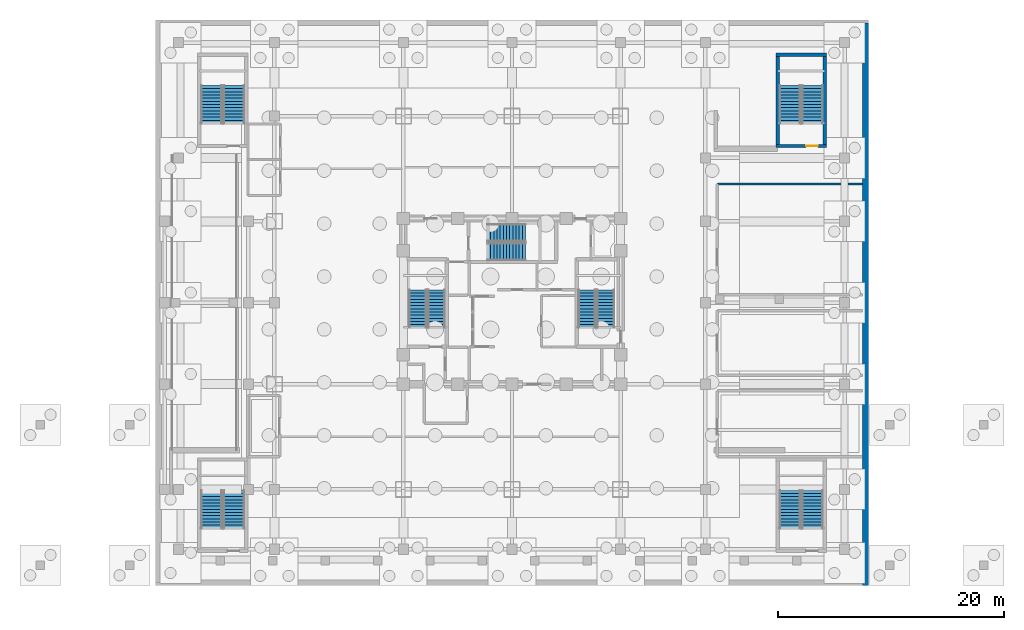
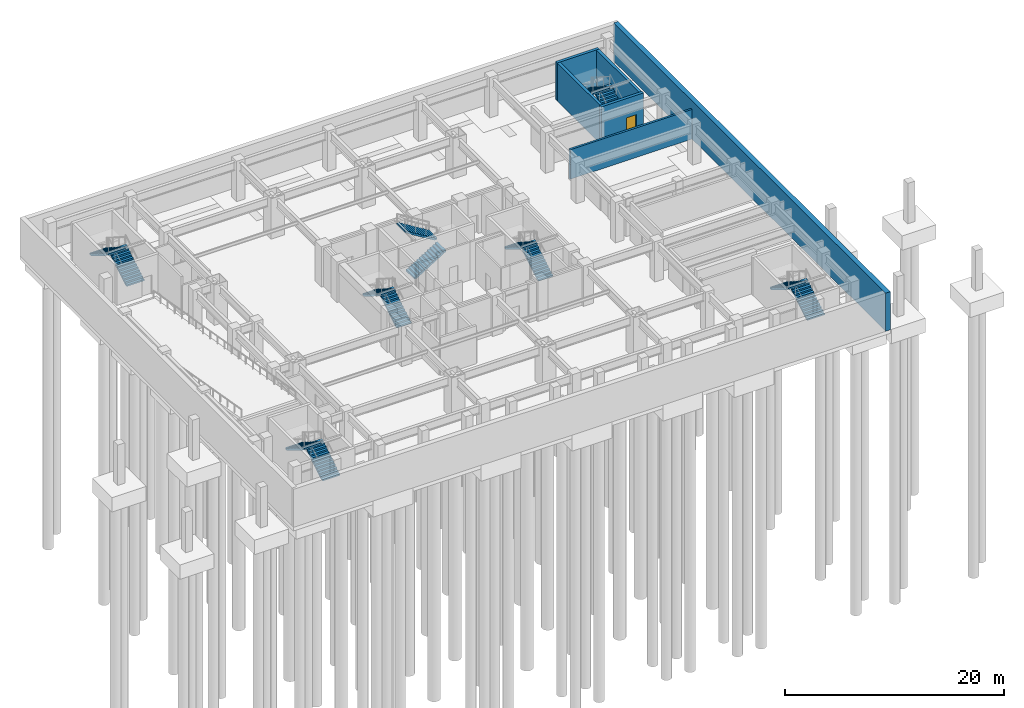
# One storey, part 7 of 12: 14 stair flights, 6 walls, 1 door, 1 opening, 7 elements without a shape of their own.
"""IFC4 building model written with IfcOpenShell, lengths in metres."""

from ifc_helpers import new_model, si_unit, direction, frame, frame_2d, origin, place, context, subcontext, project, spatial, polyline, rectangle, outline, extrude, material, layer, layer_set, type_object, element, fill, aggregate, save


model = new_model("IFC4")

# Units and contexts
model_context = context("Model", 3, precision=1e-05, world=origin(), true_north=direction((0.0, 1.0)))
body_context = subcontext(model_context, "Body", "Model", "MODEL_VIEW")
ifc_project = project(units=[si_unit("LENGTHUNIT", "METRE"), si_unit("AREAUNIT", "SQUARE_METRE"), si_unit("VOLUMEUNIT", "CUBIC_METRE"), si_unit("PLANEANGLEUNIT", "RADIAN"), si_unit("MASSUNIT", "GRAM", prefix="KILO")], contexts=[model_context])

# Site, building, storey
site_placement = place(None, origin())
site = spatial("IfcSite", under=ifc_project, at=site_placement, CompositionType="ELEMENT")
building_placement = place(site_placement, origin())
building = spatial("IfcBuilding", under=site, at=building_placement, Name="Vantalir Tower", CompositionType="ELEMENT")
storey_placement = place(building_placement, frame((0.0, 0.0, -9.0)))
storey = spatial("IfcBuildingStorey", under=building, at=storey_placement, Name="B02", CompositionType="ELEMENT", Elevation=-9.0)

# Walls
ifc_material_1 = material(Name="Concrete C50/60", Category="concrete")
ifc_layer_1 = layer(ifc_material_1, 0.5)
ifc_layer_set_1 = layer_set([ifc_layer_1], Name="Concrete C50/60")
wall_type_1 = type_object("IfcWallType", Name="WL-BSMT-500", PredefinedType="SOLIDWALL", material=ifc_layer_set_1)
wall_1_placement = place(storey_placement, frame((62.75, 0.0, 0.0), z_axis=(0.0, 0.0, 1.0), x_axis=(0.0, 1.0, 0.0)))
element("IfcWall", 1, at=wall_1_placement, inside=storey, type_object=wall_type_1, Name="B02 Perimeter Retaining Wall E", PredefinedType="SOLIDWALL", context=body_context, shape_type="SweptSolid", body=[
    extrude(rectangle(XDim=49.75, YDim=0.5, at=frame_2d((24.875, 0.0))), origin(), (0.0, 0.0, 1.0), 4.25),
])
ifc_material_2 = material(Name="Concrete blockwork with fireboard lining", Category="masonry")
ifc_layer_2 = layer(ifc_material_2, 0.219970703125)
ifc_layer_set_2 = layer_set([ifc_layer_2], Name="Concrete blockwork with fireboard lining")
wall_type_2 = type_object("IfcWallType", Name="WL-FFL-220", PredefinedType="PARTITIONING", material=ifc_layer_set_2)
wall_2_placement = place(storey_placement, frame((49.64990234375, 35.5, 0.0), z_axis=(0.0, 0.0, 1.0), x_axis=(1.0, 0.0, 0.0)))
element("IfcWall", 2, at=wall_2_placement, inside=storey, type_object=wall_type_2, Name="B02 Central Chiller Plant North Wall", PredefinedType="PARTITIONING", context=body_context, shape_type="SweptSolid", body=[
    extrude(rectangle(XDim=12.85009765625, YDim=0.219970703125, at=frame_2d((6.425048828125, 0.0))), origin(), (0.0, 0.0, 1.0), 3.297119140625),
])

# Wall, opening, door
ifc_layer_3 = layer(ifc_material_1, 0.300048828125)
ifc_layer_set_3 = layer_set([ifc_layer_3], Name="Concrete C50/60")
wall_type_3 = type_object("IfcWallType", Name="WL-STAIR-300", PredefinedType="SHEAR", material=ifc_layer_set_3)
wall_3_placement = place(storey_placement, frame((54.85009765625, 38.860107421875, 0.0), z_axis=(0.0, 0.0, 1.0), x_axis=(1.0, 0.0, 0.0)))
wall_3 = element("IfcWall", 3, at=wall_3_placement, inside=storey, type_object=wall_type_3, Name="B02 PST2 South Wall", PredefinedType="SHEAR", context=body_context, shape_type="SweptSolid", body=[
    extrude(rectangle(XDim=4.449951171875, YDim=0.300048828125, at=frame_2d((2.22509765625, 0.0))), origin(), (0.0, 0.0, 1.0), 4.25),
])
opening_placement = place(wall_3_placement, frame((2.64990234375, 0.0, 0.0)))
opening = element("IfcOpeningElement", 4, at=opening_placement, cuts=wall_3, Name="Opening D-ST", PredefinedType="OPENING", context=body_context, shape_type="SweptSolid", body=[
    extrude(rectangle(XDim=1.050048828125, YDim=2.10009765625, at=frame_2d((0.52490234375, 1.050048828125))), frame((0.0, 0.159912109375, 0.0), z_axis=(0.0, -1.0, 0.0), x_axis=(1.0, 0.0, 0.0)), (0.0, 0.0, 1.0), 0.320068359375),
])
ifc_material_3 = material(Name="Fire-rated steel door leaf", Category="steel")
door_type = type_object("IfcDoorType", Name="DR-FIRE-STAIR-1050", OperationType="NOTDEFINED", PredefinedType="DOOR", material=ifc_material_3)
door_placement = place(opening_placement, origin())
door = element("IfcDoor", 5, at=door_placement, inside=storey, type_object=door_type, Name="B02 Podium Stair PST2 Fire Door", OperationType="SINGLE_SWING_LEFT", OverallHeight=2.10009765625, OverallWidth=1.050048828125, PredefinedType="DOOR", context=body_context, shape_type="SweptSolid", body=[
    extrude(rectangle(XDim=1.050048828125, YDim=2.10009765625, at=frame_2d((0.52490234375, 1.050048828125))), frame((0.0, 0.02490234375, 0.0), z_axis=(0.0, -1.0, 0.0), x_axis=(1.0, 0.0, 0.0)), (0.0, 0.0, 1.0), 0.050048828125),
])
fill(opening, door)

# Walls
wall_4_placement = place(storey_placement, frame((54.85009765625, 46.93994140625, 0.0), z_axis=(0.0, 0.0, 1.0), x_axis=(1.0, 0.0, 0.0)))
element("IfcWall", 6, at=wall_4_placement, inside=storey, type_object=wall_type_3, Name="B02 PST2 North Wall", PredefinedType="SHEAR", context=body_context, shape_type="SweptSolid", body=[
    extrude(rectangle(XDim=4.449951171875, YDim=0.300048828125, at=frame_2d((2.22509765625, 0.0))), origin(), (0.0, 0.0, 1.0), 4.25),
])
for number, where, z_axis, x_axis, name in (
    (7, (55.010009765625, 38.860107421875, 0.0), (0.0, 0.0, 1.0), (0.0, 1.0, 0.0), "B02 PST2 West Wall"),
    (8, (59.139892578125, 38.860107421875, 0.0), (0.0, 0.0, 1.0), (0.0, 1.0, 0.0), "B02 PST2 East Wall"),
):
    element("IfcWall", number, at=place(storey_placement, frame(where, z_axis=z_axis, x_axis=x_axis)), inside=storey, type_object=wall_type_3, Name=name, PredefinedType="SHEAR", context=body_context, shape_type="SweptSolid", body=[
        extrude(rectangle(XDim=8.079833984375, YDim=0.300048828125, at=frame_2d((4.0400390625, 0.0))), origin(), (0.0, 0.0, 1.0), 4.25),
    ])

# Stair, stair flights
ifc_material_4 = material(Name="Concrete C40/50", Category="concrete")
stair_type_1 = type_object("IfcStairType", Name="STR-CORE-1450", PredefinedType="HALF_TURN_STAIR", material=ifc_material_4)
stair_1_placement = place(storey_placement, origin())
stair_1 = element("IfcStair", 9, at=stair_1_placement, inside=storey, type_object=stair_type_1, Name="B02 Core Exit Stair 1", PredefinedType="HALF_TURN_STAIR")
stair_flight_type_1 = type_object("IfcStairFlightType", Name="FLT-CORE-1450", PredefinedType="STRAIGHT", material=ifc_material_4)
stair_flight_1_placement = place(storey_placement, frame((24.830078125, 22.7900390625, 0.0), z_axis=(0.0, 0.0, 1.0), x_axis=(0.0, 1.0, 0.0)))
stair_flight_1 = element("IfcStairFlight", 10, at=stair_flight_1_placement, type_object=stair_flight_type_1, Name="ST1 flight 1", NumberOfRisers=13, NumberOfTreads=12, PredefinedType="STRAIGHT", RiserHeight=0.173076923, TreadLength=0.28, context=body_context, shape_type="SweptSolid", body=[
    extrude(outline(polyline([(0.0, 0.0), (0.0, 0.173095703125), (0.280029296875, 0.173095703125), (0.280029296875, 0.34619140625), (0.56005859375, 0.34619140625), (0.56005859375, 0.519287109375), (0.840087890625, 0.519287109375), (0.840087890625, 0.6923828125), (1.1201171875, 0.6923828125), (1.1201171875, 0.865478515625), (1.39990234375, 0.865478515625), (1.39990234375, 1.03857421875), (1.679931640625, 1.03857421875), (1.679931640625, 1.21142578125), (1.9599609375, 1.21142578125), (1.9599609375, 1.384521484375), (2.239990234375, 1.384521484375), (2.239990234375, 1.5576171875), (2.52001953125, 1.5576171875), (2.52001953125, 1.730712890625), (2.800048828125, 1.730712890625), (2.800048828125, 1.90380859375), (3.080078125, 1.90380859375), (3.080078125, 2.076904296875), (3.360107421875, 2.076904296875), (3.360107421875, 2.25), (3.360107421875, 1.900634765625), (0.28515625, 0.0), (0.0, 0.0)])), frame((0.0, 0.77001953125, 0.0), z_axis=(0.0, -1.0, 0.0), x_axis=(1.0, 0.0, 0.0)), (0.0, 0.0, 1.0), 1.5400390625),
])
stair_flight_2_placement = place(storey_placement, frame((23.169921875, 26.14990234375, 2.25), z_axis=(0.0, 0.0, 1.0), x_axis=(0.0, -1.0, 0.0)))
stair_flight_2 = element("IfcStairFlight", 11, at=stair_flight_2_placement, type_object=stair_flight_type_1, Name="ST1 flight 2", NumberOfRisers=13, NumberOfTreads=12, PredefinedType="STRAIGHT", RiserHeight=0.173076923, TreadLength=0.28, context=body_context, shape_type="SweptSolid", body=[
    extrude(outline(polyline([(0.0, 0.0), (0.0, 0.173095703125), (0.280029296875, 0.173095703125), (0.280029296875, 0.34619140625), (0.56005859375, 0.34619140625), (0.56005859375, 0.519287109375), (0.840087890625, 0.519287109375), (0.840087890625, 0.6923828125), (1.1201171875, 0.6923828125), (1.1201171875, 0.865478515625), (1.39990234375, 0.865478515625), (1.39990234375, 1.03857421875), (1.679931640625, 1.03857421875), (1.679931640625, 1.21142578125), (1.9599609375, 1.21142578125), (1.9599609375, 1.384521484375), (2.239990234375, 1.384521484375), (2.239990234375, 1.5576171875), (2.52001953125, 1.5576171875), (2.52001953125, 1.730712890625), (2.800048828125, 1.730712890625), (2.800048828125, 1.90380859375), (3.080078125, 1.90380859375), (3.080078125, 2.076904296875), (3.360107421875, 2.076904296875), (3.360107421875, 2.25), (3.360107421875, 1.900634765625), (0.28515625, 0.0), (0.0, 0.0)])), frame((0.0, 0.77001953125, 0.0), z_axis=(0.0, -1.0, 0.0), x_axis=(1.0, 0.0, 0.0)), (0.0, 0.0, 1.0), 1.5400390625),
])
aggregate(stair_1, [stair_flight_1, stair_flight_2])

stair_2_placement = place(storey_placement, origin())
stair_2 = element("IfcStair", 12, at=stair_2_placement, inside=storey, type_object=stair_type_1, Name="B02 Core Exit Stair 2", PredefinedType="HALF_TURN_STAIR")
stair_flight_3_placement = place(storey_placement, frame((39.780029296875, 22.7900390625, 0.0), z_axis=(0.0, 0.0, 1.0), x_axis=(0.0, 1.0, 0.0)))
stair_flight_3 = element("IfcStairFlight", 13, at=stair_flight_3_placement, type_object=stair_flight_type_1, Name="ST2 flight 1", NumberOfRisers=13, NumberOfTreads=12, PredefinedType="STRAIGHT", RiserHeight=0.173076923, TreadLength=0.28, context=body_context, shape_type="SweptSolid", body=[
    extrude(outline(polyline([(0.0, 0.0), (0.0, 0.173095703125), (0.280029296875, 0.173095703125), (0.280029296875, 0.34619140625), (0.56005859375, 0.34619140625), (0.56005859375, 0.519287109375), (0.840087890625, 0.519287109375), (0.840087890625, 0.6923828125), (1.1201171875, 0.6923828125), (1.1201171875, 0.865478515625), (1.39990234375, 0.865478515625), (1.39990234375, 1.03857421875), (1.679931640625, 1.03857421875), (1.679931640625, 1.21142578125), (1.9599609375, 1.21142578125), (1.9599609375, 1.384521484375), (2.239990234375, 1.384521484375), (2.239990234375, 1.5576171875), (2.52001953125, 1.5576171875), (2.52001953125, 1.730712890625), (2.800048828125, 1.730712890625), (2.800048828125, 1.90380859375), (3.080078125, 1.90380859375), (3.080078125, 2.076904296875), (3.360107421875, 2.076904296875), (3.360107421875, 2.25), (3.360107421875, 1.900634765625), (0.28515625, 0.0), (0.0, 0.0)])), frame((0.0, 0.77001953125, 0.0), z_axis=(0.0, -1.0, 0.0), x_axis=(1.0, 0.0, 0.0)), (0.0, 0.0, 1.0), 1.5400390625),
])
stair_flight_4_placement = place(storey_placement, frame((38.1201171875, 26.14990234375, 2.25), z_axis=(0.0, 0.0, 1.0), x_axis=(0.0, -1.0, 0.0)))
stair_flight_4 = element("IfcStairFlight", 14, at=stair_flight_4_placement, type_object=stair_flight_type_1, Name="ST2 flight 2", NumberOfRisers=13, NumberOfTreads=12, PredefinedType="STRAIGHT", RiserHeight=0.173076923, TreadLength=0.28, context=body_context, shape_type="SweptSolid", body=[
    extrude(outline(polyline([(0.0, 0.0), (0.0, 0.173095703125), (0.280029296875, 0.173095703125), (0.280029296875, 0.34619140625), (0.56005859375, 0.34619140625), (0.56005859375, 0.519287109375), (0.840087890625, 0.519287109375), (0.840087890625, 0.6923828125), (1.1201171875, 0.6923828125), (1.1201171875, 0.865478515625), (1.39990234375, 0.865478515625), (1.39990234375, 1.03857421875), (1.679931640625, 1.03857421875), (1.679931640625, 1.21142578125), (1.9599609375, 1.21142578125), (1.9599609375, 1.384521484375), (2.239990234375, 1.384521484375), (2.239990234375, 1.5576171875), (2.52001953125, 1.5576171875), (2.52001953125, 1.730712890625), (2.800048828125, 1.730712890625), (2.800048828125, 1.90380859375), (3.080078125, 1.90380859375), (3.080078125, 2.076904296875), (3.360107421875, 2.076904296875), (3.360107421875, 2.25), (3.360107421875, 1.900634765625), (0.28515625, 0.0), (0.0, 0.0)])), frame((0.0, 0.77001953125, 0.0), z_axis=(0.0, -1.0, 0.0), x_axis=(1.0, 0.0, 0.0)), (0.0, 0.0, 1.0), 1.5400390625),
])
aggregate(stair_2, [stair_flight_3, stair_flight_4])

stair_3_placement = place(storey_placement, origin())
stair_3 = element("IfcStair", 15, at=stair_3_placement, inside=storey, type_object=stair_type_1, Name="B02 Core Exit Stair 3", PredefinedType="HALF_TURN_STAIR")
stair_flight_5_placement = place(storey_placement, frame((29.340087890625, 29.52001953125, 0.0), z_axis=(0.0, 0.0, 1.0), x_axis=(1.0, 0.0, 0.0)))
stair_flight_5 = element("IfcStairFlight", 16, at=stair_flight_5_placement, type_object=stair_flight_type_1, Name="ST3 flight 1", NumberOfRisers=13, NumberOfTreads=12, PredefinedType="STRAIGHT", RiserHeight=0.173076923, TreadLength=0.28, context=body_context, shape_type="SweptSolid", body=[
    extrude(outline(polyline([(0.0, 0.0), (0.0, 0.173095703125), (0.280029296875, 0.173095703125), (0.280029296875, 0.34619140625), (0.56005859375, 0.34619140625), (0.56005859375, 0.519287109375), (0.840087890625, 0.519287109375), (0.840087890625, 0.6923828125), (1.1201171875, 0.6923828125), (1.1201171875, 0.865478515625), (1.39990234375, 0.865478515625), (1.39990234375, 1.03857421875), (1.679931640625, 1.03857421875), (1.679931640625, 1.21142578125), (1.9599609375, 1.21142578125), (1.9599609375, 1.384521484375), (2.239990234375, 1.384521484375), (2.239990234375, 1.5576171875), (2.52001953125, 1.5576171875), (2.52001953125, 1.730712890625), (2.800048828125, 1.730712890625), (2.800048828125, 1.90380859375), (3.080078125, 1.90380859375), (3.080078125, 2.076904296875), (3.360107421875, 2.076904296875), (3.360107421875, 2.25), (3.360107421875, 1.900634765625), (0.28515625, 0.0), (0.0, 0.0)])), frame((0.0, 0.77001953125, 0.0), z_axis=(0.0, -1.0, 0.0), x_axis=(1.0, 0.0, 0.0)), (0.0, 0.0, 1.0), 1.5400390625),
])
stair_flight_6_placement = place(storey_placement, frame((32.699951171875, 31.179931640625, 2.25), z_axis=(0.0, 0.0, 1.0), x_axis=(-1.0, 0.0, 0.0)))
stair_flight_6 = element("IfcStairFlight", 17, at=stair_flight_6_placement, type_object=stair_flight_type_1, Name="ST3 flight 2", NumberOfRisers=13, NumberOfTreads=12, PredefinedType="STRAIGHT", RiserHeight=0.173076923, TreadLength=0.28, context=body_context, shape_type="SweptSolid", body=[
    extrude(outline(polyline([(0.0, 0.0), (0.0, 0.173095703125), (0.280029296875, 0.173095703125), (0.280029296875, 0.34619140625), (0.56005859375, 0.34619140625), (0.56005859375, 0.519287109375), (0.840087890625, 0.519287109375), (0.840087890625, 0.6923828125), (1.1201171875, 0.6923828125), (1.1201171875, 0.865478515625), (1.39990234375, 0.865478515625), (1.39990234375, 1.03857421875), (1.679931640625, 1.03857421875), (1.679931640625, 1.21142578125), (1.9599609375, 1.21142578125), (1.9599609375, 1.384521484375), (2.239990234375, 1.384521484375), (2.239990234375, 1.5576171875), (2.52001953125, 1.5576171875), (2.52001953125, 1.730712890625), (2.800048828125, 1.730712890625), (2.800048828125, 1.90380859375), (3.080078125, 1.90380859375), (3.080078125, 2.076904296875), (3.360107421875, 2.076904296875), (3.360107421875, 2.25), (3.360107421875, 1.900634765625), (0.28515625, 0.0), (0.0, 0.0)])), frame((0.0, 0.77001953125, 0.0), z_axis=(0.0, -1.0, 0.0), x_axis=(1.0, 0.0, 0.0)), (0.0, 0.0, 1.0), 1.5400390625),
])
aggregate(stair_3, [stair_flight_5, stair_flight_6])

stair_type_2 = type_object("IfcStairType", Name="STR-POD-1550", PredefinedType="HALF_TURN_STAIR", material=ifc_material_4)
stair_4_placement = place(storey_placement, origin())
stair_4 = element("IfcStair", 18, at=stair_4_placement, inside=storey, type_object=stair_type_2, Name="B02 Podium Exit Stair 1", PredefinedType="HALF_TURN_STAIR")
stair_flight_type_2 = type_object("IfcStairFlightType", Name="FLT-POD-1550", PredefinedType="STRAIGHT", material=ifc_material_4)
stair_flight_7_placement = place(storey_placement, frame((6.925048828125, 40.85009765625, 0.0), z_axis=(0.0, 0.0, 1.0), x_axis=(0.0, 1.0, 0.0)))
stair_flight_7 = element("IfcStairFlight", 19, at=stair_flight_7_placement, type_object=stair_flight_type_2, Name="PST1 flight 1", NumberOfRisers=13, NumberOfTreads=12, PredefinedType="STRAIGHT", RiserHeight=0.173076923, TreadLength=0.28, context=body_context, shape_type="SweptSolid", body=[
    extrude(outline(polyline([(0.0, 0.0), (0.0, 0.173095703125), (0.280029296875, 0.173095703125), (0.280029296875, 0.34619140625), (0.56005859375, 0.34619140625), (0.56005859375, 0.519287109375), (0.840087890625, 0.519287109375), (0.840087890625, 0.6923828125), (1.1201171875, 0.6923828125), (1.1201171875, 0.865478515625), (1.39990234375, 0.865478515625), (1.39990234375, 1.03857421875), (1.679931640625, 1.03857421875), (1.679931640625, 1.21142578125), (1.9599609375, 1.21142578125), (1.9599609375, 1.384521484375), (2.239990234375, 1.384521484375), (2.239990234375, 1.5576171875), (2.52001953125, 1.5576171875), (2.52001953125, 1.730712890625), (2.800048828125, 1.730712890625), (2.800048828125, 1.90380859375), (3.080078125, 1.90380859375), (3.080078125, 2.076904296875), (3.360107421875, 2.076904296875), (3.360107421875, 2.25), (3.360107421875, 1.900634765625), (0.28515625, 0.0), (0.0, 0.0)])), frame((0.0, 0.925048828125, 0.0), z_axis=(0.0, -1.0, 0.0), x_axis=(1.0, 0.0, 0.0)), (0.0, 0.0, 1.0), 1.85009765625),
])
stair_flight_8_placement = place(storey_placement, frame((4.925048828125, 44.2099609375, 2.25), z_axis=(0.0, 0.0, 1.0), x_axis=(0.0, -1.0, 0.0)))
stair_flight_8 = element("IfcStairFlight", 20, at=stair_flight_8_placement, type_object=stair_flight_type_2, Name="PST1 flight 2", NumberOfRisers=13, NumberOfTreads=12, PredefinedType="STRAIGHT", RiserHeight=0.173076923, TreadLength=0.28, context=body_context, shape_type="SweptSolid", body=[
    extrude(outline(polyline([(0.0, 0.0), (0.0, 0.173095703125), (0.280029296875, 0.173095703125), (0.280029296875, 0.34619140625), (0.56005859375, 0.34619140625), (0.56005859375, 0.519287109375), (0.840087890625, 0.519287109375), (0.840087890625, 0.6923828125), (1.1201171875, 0.6923828125), (1.1201171875, 0.865478515625), (1.39990234375, 0.865478515625), (1.39990234375, 1.03857421875), (1.679931640625, 1.03857421875), (1.679931640625, 1.21142578125), (1.9599609375, 1.21142578125), (1.9599609375, 1.384521484375), (2.239990234375, 1.384521484375), (2.239990234375, 1.5576171875), (2.52001953125, 1.5576171875), (2.52001953125, 1.730712890625), (2.800048828125, 1.730712890625), (2.800048828125, 1.90380859375), (3.080078125, 1.90380859375), (3.080078125, 2.076904296875), (3.360107421875, 2.076904296875), (3.360107421875, 2.25), (3.360107421875, 1.900634765625), (0.28515625, 0.0), (0.0, 0.0)])), frame((0.0, 0.925048828125, 0.0), z_axis=(0.0, -1.0, 0.0), x_axis=(1.0, 0.0, 0.0)), (0.0, 0.0, 1.0), 1.85009765625),
])
aggregate(stair_4, [stair_flight_7, stair_flight_8])

stair_5_placement = place(storey_placement, origin())
stair_5 = element("IfcStair", 21, at=stair_5_placement, inside=storey, type_object=stair_type_2, Name="B02 Podium Exit Stair 2", PredefinedType="HALF_TURN_STAIR")
stair_flight_9_placement = place(storey_placement, frame((58.074951171875, 40.85009765625, 0.0), z_axis=(0.0, 0.0, 1.0), x_axis=(0.0, 1.0, 0.0)))
stair_flight_9 = element("IfcStairFlight", 22, at=stair_flight_9_placement, type_object=stair_flight_type_2, Name="PST2 flight 1", NumberOfRisers=13, NumberOfTreads=12, PredefinedType="STRAIGHT", RiserHeight=0.173076923, TreadLength=0.28, context=body_context, shape_type="SweptSolid", body=[
    extrude(outline(polyline([(0.0, 0.0), (0.0, 0.173095703125), (0.280029296875, 0.173095703125), (0.280029296875, 0.34619140625), (0.56005859375, 0.34619140625), (0.56005859375, 0.519287109375), (0.840087890625, 0.519287109375), (0.840087890625, 0.6923828125), (1.1201171875, 0.6923828125), (1.1201171875, 0.865478515625), (1.39990234375, 0.865478515625), (1.39990234375, 1.03857421875), (1.679931640625, 1.03857421875), (1.679931640625, 1.21142578125), (1.9599609375, 1.21142578125), (1.9599609375, 1.384521484375), (2.239990234375, 1.384521484375), (2.239990234375, 1.5576171875), (2.52001953125, 1.5576171875), (2.52001953125, 1.730712890625), (2.800048828125, 1.730712890625), (2.800048828125, 1.90380859375), (3.080078125, 1.90380859375), (3.080078125, 2.076904296875), (3.360107421875, 2.076904296875), (3.360107421875, 2.25), (3.360107421875, 1.900634765625), (0.28515625, 0.0), (0.0, 0.0)])), frame((0.0, 0.925048828125, 0.0), z_axis=(0.0, -1.0, 0.0), x_axis=(1.0, 0.0, 0.0)), (0.0, 0.0, 1.0), 1.85009765625),
])
stair_flight_10_placement = place(storey_placement, frame((56.074951171875, 44.2099609375, 2.25), z_axis=(0.0, 0.0, 1.0), x_axis=(0.0, -1.0, 0.0)))
stair_flight_10 = element("IfcStairFlight", 23, at=stair_flight_10_placement, type_object=stair_flight_type_2, Name="PST2 flight 2", NumberOfRisers=13, NumberOfTreads=12, PredefinedType="STRAIGHT", RiserHeight=0.173076923, TreadLength=0.28, context=body_context, shape_type="SweptSolid", body=[
    extrude(outline(polyline([(0.0, 0.0), (0.0, 0.173095703125), (0.280029296875, 0.173095703125), (0.280029296875, 0.34619140625), (0.56005859375, 0.34619140625), (0.56005859375, 0.519287109375), (0.840087890625, 0.519287109375), (0.840087890625, 0.6923828125), (1.1201171875, 0.6923828125), (1.1201171875, 0.865478515625), (1.39990234375, 0.865478515625), (1.39990234375, 1.03857421875), (1.679931640625, 1.03857421875), (1.679931640625, 1.21142578125), (1.9599609375, 1.21142578125), (1.9599609375, 1.384521484375), (2.239990234375, 1.384521484375), (2.239990234375, 1.5576171875), (2.52001953125, 1.5576171875), (2.52001953125, 1.730712890625), (2.800048828125, 1.730712890625), (2.800048828125, 1.90380859375), (3.080078125, 1.90380859375), (3.080078125, 2.076904296875), (3.360107421875, 2.076904296875), (3.360107421875, 2.25), (3.360107421875, 1.900634765625), (0.28515625, 0.0), (0.0, 0.0)])), frame((0.0, 0.925048828125, 0.0), z_axis=(0.0, -1.0, 0.0), x_axis=(1.0, 0.0, 0.0)), (0.0, 0.0, 1.0), 1.85009765625),
])
aggregate(stair_5, [stair_flight_9, stair_flight_10])

stair_6_placement = place(storey_placement, origin())
stair_6 = element("IfcStair", 24, at=stair_6_placement, inside=storey, type_object=stair_type_2, Name="B02 Podium Exit Stair 3", PredefinedType="HALF_TURN_STAIR")
stair_flight_11_placement = place(storey_placement, frame((6.925048828125, 5.050048828125, 0.0), z_axis=(0.0, 0.0, 1.0), x_axis=(0.0, 1.0, 0.0)))
stair_flight_11 = element("IfcStairFlight", 25, at=stair_flight_11_placement, type_object=stair_flight_type_2, Name="PST3 flight 1", NumberOfRisers=13, NumberOfTreads=12, PredefinedType="STRAIGHT", RiserHeight=0.173076923, TreadLength=0.28, context=body_context, shape_type="SweptSolid", body=[
    extrude(outline(polyline([(0.0, 0.0), (0.0, 0.173095703125), (0.280029296875, 0.173095703125), (0.280029296875, 0.34619140625), (0.56005859375, 0.34619140625), (0.56005859375, 0.519287109375), (0.840087890625, 0.519287109375), (0.840087890625, 0.6923828125), (1.1201171875, 0.6923828125), (1.1201171875, 0.865478515625), (1.39990234375, 0.865478515625), (1.39990234375, 1.03857421875), (1.679931640625, 1.03857421875), (1.679931640625, 1.21142578125), (1.9599609375, 1.21142578125), (1.9599609375, 1.384521484375), (2.239990234375, 1.384521484375), (2.239990234375, 1.5576171875), (2.52001953125, 1.5576171875), (2.52001953125, 1.730712890625), (2.800048828125, 1.730712890625), (2.800048828125, 1.90380859375), (3.080078125, 1.90380859375), (3.080078125, 2.076904296875), (3.360107421875, 2.076904296875), (3.360107421875, 2.25), (3.360107421875, 1.900634765625), (0.28515625, 0.0), (0.0, 0.0)])), frame((0.0, 0.925048828125, 0.0), z_axis=(0.0, -1.0, 0.0), x_axis=(1.0, 0.0, 0.0)), (0.0, 0.0, 1.0), 1.85009765625),
])
stair_flight_12_placement = place(storey_placement, frame((4.925048828125, 8.409912109375, 2.25), z_axis=(0.0, 0.0, 1.0), x_axis=(0.0, -1.0, 0.0)))
stair_flight_12 = element("IfcStairFlight", 26, at=stair_flight_12_placement, type_object=stair_flight_type_2, Name="PST3 flight 2", NumberOfRisers=13, NumberOfTreads=12, PredefinedType="STRAIGHT", RiserHeight=0.173076923, TreadLength=0.28, context=body_context, shape_type="SweptSolid", body=[
    extrude(outline(polyline([(0.0, 0.0), (0.0, 0.173095703125), (0.280029296875, 0.173095703125), (0.280029296875, 0.34619140625), (0.56005859375, 0.34619140625), (0.56005859375, 0.519287109375), (0.840087890625, 0.519287109375), (0.840087890625, 0.6923828125), (1.1201171875, 0.6923828125), (1.1201171875, 0.865478515625), (1.39990234375, 0.865478515625), (1.39990234375, 1.03857421875), (1.679931640625, 1.03857421875), (1.679931640625, 1.21142578125), (1.9599609375, 1.21142578125), (1.9599609375, 1.384521484375), (2.239990234375, 1.384521484375), (2.239990234375, 1.5576171875), (2.52001953125, 1.5576171875), (2.52001953125, 1.730712890625), (2.800048828125, 1.730712890625), (2.800048828125, 1.90380859375), (3.080078125, 1.90380859375), (3.080078125, 2.076904296875), (3.360107421875, 2.076904296875), (3.360107421875, 2.25), (3.360107421875, 1.900634765625), (0.28515625, 0.0), (0.0, 0.0)])), frame((0.0, 0.925048828125, 0.0), z_axis=(0.0, -1.0, 0.0), x_axis=(1.0, 0.0, 0.0)), (0.0, 0.0, 1.0), 1.85009765625),
])
aggregate(stair_6, [stair_flight_11, stair_flight_12])

stair_7_placement = place(storey_placement, origin())
stair_7 = element("IfcStair", 27, at=stair_7_placement, inside=storey, type_object=stair_type_2, Name="B02 Podium Exit Stair 4", PredefinedType="HALF_TURN_STAIR")
stair_flight_13_placement = place(storey_placement, frame((58.074951171875, 5.050048828125, 0.0), z_axis=(0.0, 0.0, 1.0), x_axis=(0.0, 1.0, 0.0)))
stair_flight_13 = element("IfcStairFlight", 28, at=stair_flight_13_placement, type_object=stair_flight_type_2, Name="PST4 flight 1", NumberOfRisers=13, NumberOfTreads=12, PredefinedType="STRAIGHT", RiserHeight=0.173076923, TreadLength=0.28, context=body_context, shape_type="SweptSolid", body=[
    extrude(outline(polyline([(0.0, 0.0), (0.0, 0.173095703125), (0.280029296875, 0.173095703125), (0.280029296875, 0.34619140625), (0.56005859375, 0.34619140625), (0.56005859375, 0.519287109375), (0.840087890625, 0.519287109375), (0.840087890625, 0.6923828125), (1.1201171875, 0.6923828125), (1.1201171875, 0.865478515625), (1.39990234375, 0.865478515625), (1.39990234375, 1.03857421875), (1.679931640625, 1.03857421875), (1.679931640625, 1.21142578125), (1.9599609375, 1.21142578125), (1.9599609375, 1.384521484375), (2.239990234375, 1.384521484375), (2.239990234375, 1.5576171875), (2.52001953125, 1.5576171875), (2.52001953125, 1.730712890625), (2.800048828125, 1.730712890625), (2.800048828125, 1.90380859375), (3.080078125, 1.90380859375), (3.080078125, 2.076904296875), (3.360107421875, 2.076904296875), (3.360107421875, 2.25), (3.360107421875, 1.900634765625), (0.28515625, 0.0), (0.0, 0.0)])), frame((0.0, 0.925048828125, 0.0), z_axis=(0.0, -1.0, 0.0), x_axis=(1.0, 0.0, 0.0)), (0.0, 0.0, 1.0), 1.85009765625),
])
stair_flight_14_placement = place(storey_placement, frame((56.074951171875, 8.409912109375, 2.25), z_axis=(0.0, 0.0, 1.0), x_axis=(0.0, -1.0, 0.0)))
stair_flight_14 = element("IfcStairFlight", 29, at=stair_flight_14_placement, type_object=stair_flight_type_2, Name="PST4 flight 2", NumberOfRisers=13, NumberOfTreads=12, PredefinedType="STRAIGHT", RiserHeight=0.173076923, TreadLength=0.28, context=body_context, shape_type="SweptSolid", body=[
    extrude(outline(polyline([(0.0, 0.0), (0.0, 0.173095703125), (0.280029296875, 0.173095703125), (0.280029296875, 0.34619140625), (0.56005859375, 0.34619140625), (0.56005859375, 0.519287109375), (0.840087890625, 0.519287109375), (0.840087890625, 0.6923828125), (1.1201171875, 0.6923828125), (1.1201171875, 0.865478515625), (1.39990234375, 0.865478515625), (1.39990234375, 1.03857421875), (1.679931640625, 1.03857421875), (1.679931640625, 1.21142578125), (1.9599609375, 1.21142578125), (1.9599609375, 1.384521484375), (2.239990234375, 1.384521484375), (2.239990234375, 1.5576171875), (2.52001953125, 1.5576171875), (2.52001953125, 1.730712890625), (2.800048828125, 1.730712890625), (2.800048828125, 1.90380859375), (3.080078125, 1.90380859375), (3.080078125, 2.076904296875), (3.360107421875, 2.076904296875), (3.360107421875, 2.25), (3.360107421875, 1.900634765625), (0.28515625, 0.0), (0.0, 0.0)])), frame((0.0, 0.925048828125, 0.0), z_axis=(0.0, -1.0, 0.0), x_axis=(1.0, 0.0, 0.0)), (0.0, 0.0, 1.0), 1.85009765625),
])
aggregate(stair_7, [stair_flight_13, stair_flight_14])

save(model, "model.ifc")
